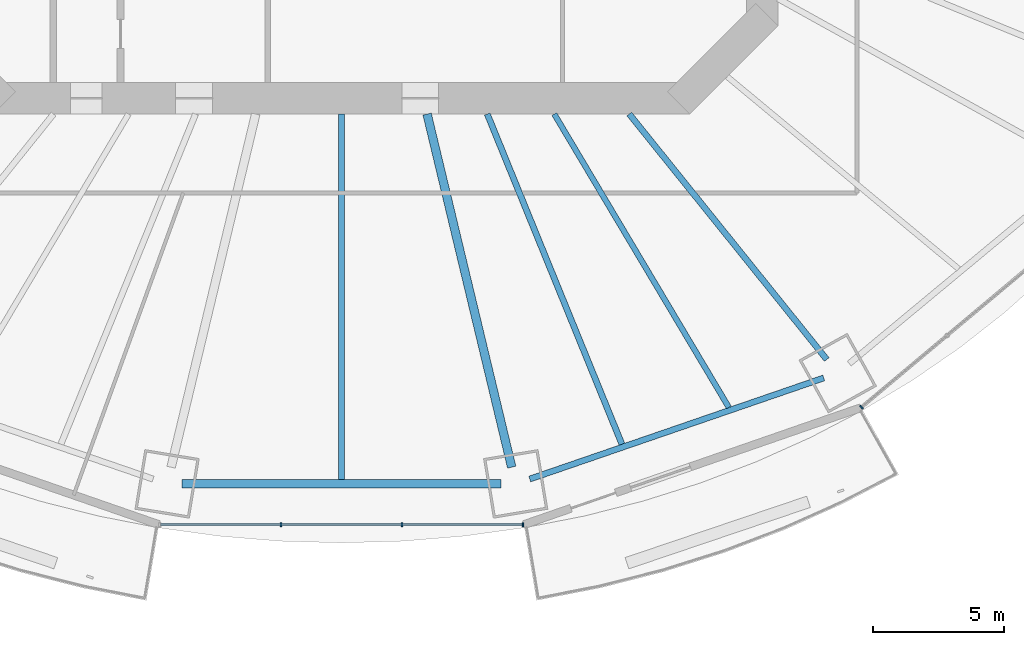
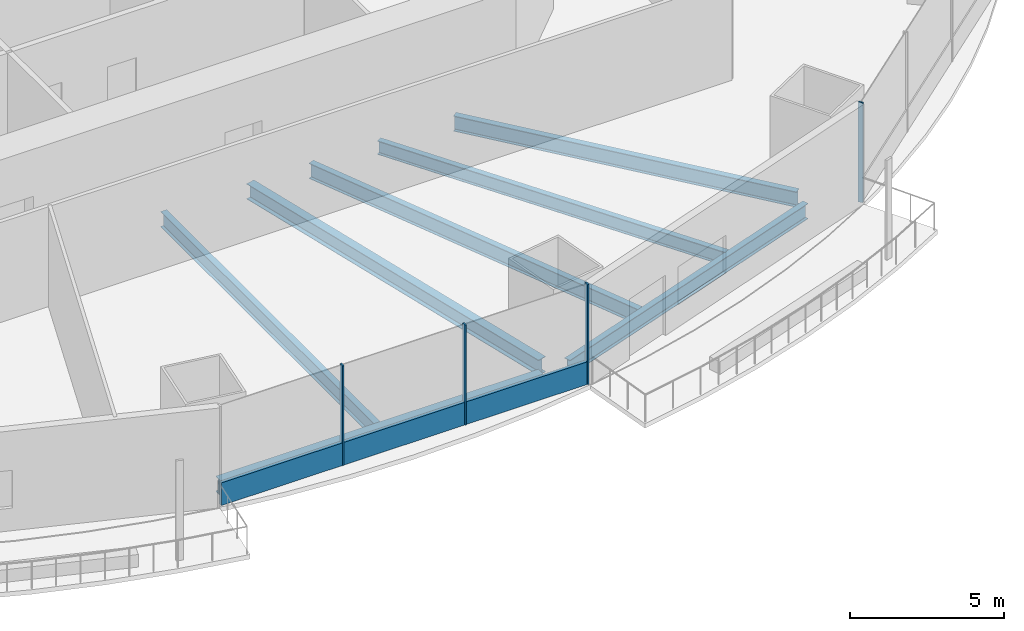
# One storey, part 4 of 22: 7 beams, 5 members, 2 elements without a shape of their own.
"""IFC4 building model written with IfcOpenShell, lengths in metres."""

from ifc_helpers import new_model, si_unit, direction, frame, origin, origin_2d, place, context, subcontext, project, spatial, rectangle, i_section, extrude, material, material_profile, profile_set, type_object, element, aggregate, save


model = new_model("IFC4")

# Units and contexts
model_context = context("Model", 3, precision=1e-05, world=origin(), true_north=direction((0.0, 1.0)))
body_context = subcontext(model_context, "Body", "Model", "MODEL_VIEW")
ifc_project = project(units=[si_unit("LENGTHUNIT", "METRE"), si_unit("AREAUNIT", "SQUARE_METRE"), si_unit("VOLUMEUNIT", "CUBIC_METRE"), si_unit("PLANEANGLEUNIT", "RADIAN"), si_unit("MASSUNIT", "GRAM", prefix="KILO")], contexts=[model_context])

# Site, building, storey
site_placement = place(None, origin())
site = spatial("IfcSite", under=ifc_project, at=site_placement, CompositionType="ELEMENT")
building_placement = place(site_placement, origin())
building = spatial("IfcBuilding", under=site, at=building_placement, Name="Marenthal Gate Tower", CompositionType="ELEMENT")
storey_placement = place(building_placement, frame((0.0, 0.0, 74.5)))
storey = spatial("IfcBuildingStorey", under=building, at=storey_placement, Name="L14", CompositionType="ELEMENT", Elevation=74.5)

# Curtain wall, members
ifc_material_1 = material(Name="Aluminium and glass", Category="aluminium")
curtain_wall_type = type_object("IfcCurtainWallType", Name="Curtain wall typical low", PredefinedType="NOTDEFINED", material=ifc_material_1)
curtain_wall_1_placement = place(storey_placement, origin())
curtain_wall_1 = element("IfcCurtainWall", 1, at=curtain_wall_1_placement, inside=storey, type_object=curtain_wall_type, Name="Curtain wall L14 bay 12", PredefinedType="NOTDEFINED")
ifc_material_2 = material(Name="Aluminium", Category="aluminium")
ifc_material_profile_1 = material_profile(ifc_material_2, rectangle(XDim=0.159912109375, YDim=0.06005859375, at=origin_2d()), Name="60x160 aluminium mullion")
ifc_profile_set_1 = profile_set([ifc_material_profile_1], Name="Aluminium")
member_type_1 = type_object("IfcMemberType", Name="Mullion 60x160 typical low", PredefinedType="MULLION", material=ifc_profile_set_1)
member_1_placement = place(storey_placement, frame((-2.302001953125, -29.211669921875, 0.0), z_axis=(0.0, 0.0, 1.0), x_axis=(0.0, 1.0, 0.0)))
member_1 = element("IfcMember", 2, at=member_1_placement, type_object=member_type_1, Name="Mullion L14 bay 12.2", PredefinedType="MULLION", context=body_context, shape_type="SweptSolid", body=[
    extrude(rectangle(XDim=0.159912109375, YDim=0.06005859375, at=origin_2d()), origin(), (0.0, 0.0, 1.0), 3.969970703125),
])
member_2_placement = place(storey_placement, frame((2.302001953125, -29.211669921875, 0.0), z_axis=(0.0, 0.0, 1.0), x_axis=(0.0, 1.0, 0.0)))
member_2 = element("IfcMember", 3, at=member_2_placement, type_object=member_type_1, Name="Mullion L14 bay 12.3", PredefinedType="MULLION", context=body_context, shape_type="SweptSolid", body=[
    extrude(rectangle(XDim=0.159912109375, YDim=0.06005859375, at=origin_2d()), origin(), (0.0, 0.0, 1.0), 3.969970703125),
])
member_3_placement = place(storey_placement, frame((6.906005859375, -29.211669921875, 0.0), z_axis=(0.0, 0.0, 1.0), x_axis=(0.0, 1.0, 0.0)))
member_3 = element("IfcMember", 4, at=member_3_placement, type_object=member_type_1, Name="Mullion L14 bay 12.4", PredefinedType="MULLION", context=body_context, shape_type="SweptSolid", body=[
    extrude(rectangle(XDim=0.159912109375, YDim=0.06005859375, at=origin_2d()), origin(), (0.0, 0.0, 1.0), 3.969970703125),
])

# Curtain wall, member
curtain_wall_2_placement = place(storey_placement, origin())
curtain_wall_2 = element("IfcCurtainWall", 5, at=curtain_wall_2_placement, inside=storey, type_object=curtain_wall_type, Name="Curtain wall L14 bay 14", PredefinedType="NOTDEFINED")
member_4_placement = place(storey_placement, frame((19.775146484375, -24.7451171875, 0.0), z_axis=(0.0, 0.0, 1.0), x_axis=(-0.642176178992, 0.76655707885, 0.0)))
member_4 = element("IfcMember", 6, at=member_4_placement, type_object=member_type_1, Name="Mullion L14 bay 14.1", PredefinedType="MULLION", context=body_context, shape_type="SweptSolid", body=[
    extrude(rectangle(XDim=0.159912109375, YDim=0.06005859375, at=origin_2d()), origin(), (0.0, 0.0, 1.0), 3.969970703125),
])
aggregate(curtain_wall_2, [member_4])

# Member
ifc_material_3 = material(Name="Aluminium", Category="aluminium")
ifc_material_profile_2 = material_profile(ifc_material_3, rectangle(XDim=0.1201171875, YDim=0.89990234375, at=origin_2d()), Name="120x900 aluminium transom")
ifc_profile_set_2 = profile_set([ifc_material_profile_2], Name="Aluminium")
member_type_2 = type_object("IfcMemberType", Name="Transom 120x900 typical low", PredefinedType="USERDEFINED", material=ifc_profile_set_2)
member_5_placement = place(storey_placement, frame((-6.8759765625, -29.211669921875, 0.449951171875), z_axis=(1.0, 0.0, 0.0), x_axis=(0.0, 1.0, 0.0)))
member_5 = element("IfcMember", 7, at=member_5_placement, type_object=member_type_2, Name="Transom L14 bay 12", ObjectType="TRANSOM", PredefinedType="USERDEFINED", context=body_context, shape_type="SweptSolid", body=[
    extrude(rectangle(XDim=0.1201171875, YDim=0.89990234375, at=origin_2d()), origin(), (0.0, 0.0, 1.0), 13.751953125),
])

aggregate(curtain_wall_1, [member_1, member_2, member_3, member_5])

# Beams
ifc_material_4 = material(Name="Steel S355", Category="steel")
ifc_material_profile_3 = material_profile(ifc_material_4, i_section(OverallWidth=0.2119140625, OverallDepth=0.5439453125, WebThickness=0.01318359375, FlangeThickness=0.021240234375, FilletRadius=0.0126953125, at=origin_2d()), Name="W530X123")
ifc_profile_set_3 = profile_set([ifc_material_profile_3], Name="Steel S355")
beam_type_1 = type_object("IfcBeamType", Name="W530X123 beam", PredefinedType="BEAM", material=ifc_profile_set_3)
beam_1_placement = place(storey_placement, frame((14.732421875, -24.754150390625, -0.451904296875), z_axis=(-0.511433266122, 0.859322997658, 0.0), x_axis=(-0.859322997658, -0.511433266122, 0.0)))
element("IfcBeam", 8, at=beam_1_placement, inside=storey, type_object=beam_type_1, Name="BM-L14-36", PredefinedType="BEAM", context=body_context, shape_type="SweptSolid", body=[
    extrude(i_section(OverallWidth=0.2119140625, OverallDepth=0.5439453125, WebThickness=0.01318359375, FlangeThickness=0.021240234375, FilletRadius=0.0126953125, at=origin_2d()), origin(), (0.0, 0.0, 1.0), 12.97998046875),
])
ifc_material_5 = material(Name="Steel S355", Category="steel")
ifc_material_profile_4 = material_profile(ifc_material_5, i_section(OverallWidth=0.22900390625, OverallDepth=0.612060546875, WebThickness=0.011962890625, FlangeThickness=0.01953125, FilletRadius=0.0126953125, at=origin_2d()), Name="W610X125")
ifc_profile_set_4 = profile_set([ifc_material_profile_4], Name="Steel S355")
beam_type_2 = type_object("IfcBeamType", Name="W610X125 beam", PredefinedType="BEAM", material=ifc_profile_set_4)
beam_2_placement = place(storey_placement, frame((18.456298828125, -22.93115234375, -0.486083984375), z_axis=(-0.62700397479, 0.779016056059, 0.0), x_axis=(-0.779016056059, -0.62700397479, 0.0)))
element("IfcBeam", 9, at=beam_2_placement, inside=storey, type_object=beam_type_2, Name="BM-L14-14", PredefinedType="BEAM", context=body_context, shape_type="SweptSolid", body=[
    extrude(i_section(OverallWidth=0.22900390625, OverallDepth=0.612060546875, WebThickness=0.011962890625, FlangeThickness=0.01953125, FilletRadius=0.0126953125, at=origin_2d()), origin(), (0.0, 0.0, 1.0), 11.97802734375),
])
beam_3_placement = place(storey_placement, frame((0.0, -27.49951171875, -0.486083984375), z_axis=(0.0, 1.0, 0.0), x_axis=(-1.0, 0.0, 0.0)))
element("IfcBeam", 10, at=beam_3_placement, inside=storey, type_object=beam_type_2, Name="BM-L14-34", PredefinedType="BEAM", context=body_context, shape_type="SweptSolid", body=[
    extrude(i_section(OverallWidth=0.22900390625, OverallDepth=0.612060546875, WebThickness=0.011962890625, FlangeThickness=0.01953125, FilletRadius=0.0126953125, at=origin_2d()), origin(), (0.0, 0.0, 1.0), 13.8994140625),
])
beam_4_placement = place(storey_placement, frame((10.666748046875, -26.152099609375, -0.486083984375), z_axis=(-0.377666991807, 0.925941490214, 0.0), x_axis=(-0.925941490214, -0.377666991807, 0.0)))
element("IfcBeam", 11, at=beam_4_placement, inside=storey, type_object=beam_type_2, Name="BM-L14-35", PredefinedType="BEAM", context=body_context, shape_type="SweptSolid", body=[
    extrude(i_section(OverallWidth=0.22900390625, OverallDepth=0.612060546875, WebThickness=0.011962890625, FlangeThickness=0.01953125, FilletRadius=0.0126953125, at=origin_2d()), origin(), (0.0, 0.0, 1.0), 13.555908203125),
])
beam_5_placement = place(storey_placement, frame((7.162109375, -27.478515625, -0.486083984375), z_axis=(0.94564769726, 0.325192916076, 0.0), x_axis=(-0.325192916076, 0.94564769726, 0.0)))
element("IfcBeam", 12, at=beam_5_placement, inside=storey, type_object=beam_type_2, Name="BM-L14-53", PredefinedType="BEAM", context=body_context, shape_type="SweptSolid", body=[
    extrude(i_section(OverallWidth=0.22900390625, OverallDepth=0.612060546875, WebThickness=0.011962890625, FlangeThickness=0.01953125, FilletRadius=0.0126953125, at=origin_2d()), origin(), (0.0, 0.0, 1.0), 11.819091796875),
])
ifc_material_6 = material(Name="Steel S355", Category="steel")
ifc_material_profile_5 = material_profile(ifc_material_6, i_section(OverallWidth=0.324951171875, OverallDepth=0.612060546875, WebThickness=0.0126953125, FlangeThickness=0.01904296875, FilletRadius=0.0126953125, at=origin_2d()), Name="W610X155")
ifc_profile_set_5 = profile_set([ifc_material_profile_5], Name="Steel S355")
beam_type_3 = type_object("IfcBeamType", Name="W610X155 beam", PredefinedType="BEAM", material=ifc_profile_set_5)
beam_6_placement = place(storey_placement, frame((6.4755859375, -27.027099609375, -0.486083984375), z_axis=(-0.233000428797, 0.972476632203, 0.0), x_axis=(-0.972476632203, -0.233000428797, 0.0)))
element("IfcBeam", 13, at=beam_6_placement, inside=storey, type_object=beam_type_3, Name="BM-L14-13", PredefinedType="BEAM", context=body_context, shape_type="SweptSolid", body=[
    extrude(i_section(OverallWidth=0.324951171875, OverallDepth=0.612060546875, WebThickness=0.0126953125, FlangeThickness=0.01904296875, FilletRadius=0.0126953125, at=origin_2d()), origin(), (0.0, 0.0, 1.0), 13.80712890625),
])
beam_7_placement = place(storey_placement, frame((-6.063720703125, -27.662109375, -0.486083984375), z_axis=(1.0, 0.0, 0.0), x_axis=(0.0, 1.0, 0.0)))
element("IfcBeam", 14, at=beam_7_placement, inside=storey, type_object=beam_type_3, Name="BM-L14-52", PredefinedType="BEAM", context=body_context, shape_type="SweptSolid", body=[
    extrude(i_section(OverallWidth=0.324951171875, OverallDepth=0.612060546875, WebThickness=0.0126953125, FlangeThickness=0.01904296875, FilletRadius=0.0126953125, at=origin_2d()), origin(), (0.0, 0.0, 1.0), 12.12744140625),
])

save(model, "model.ifc")
